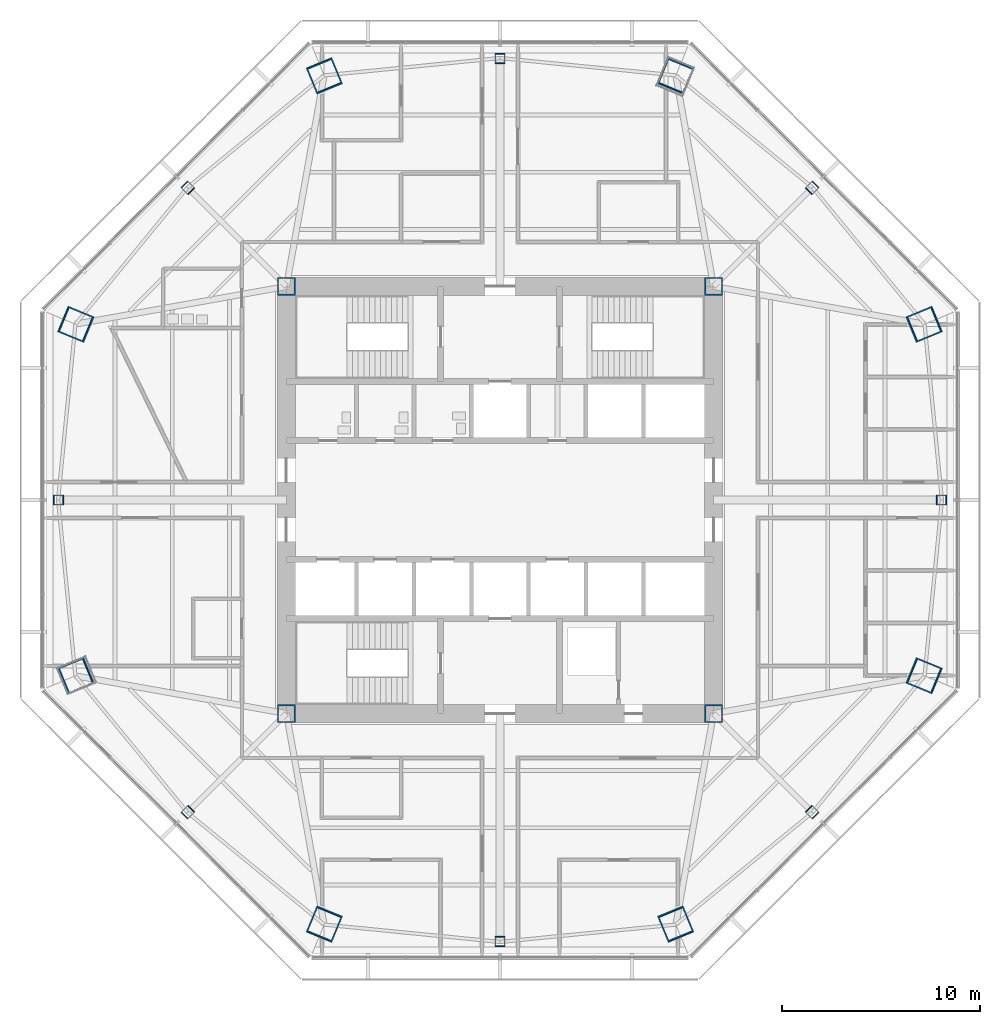
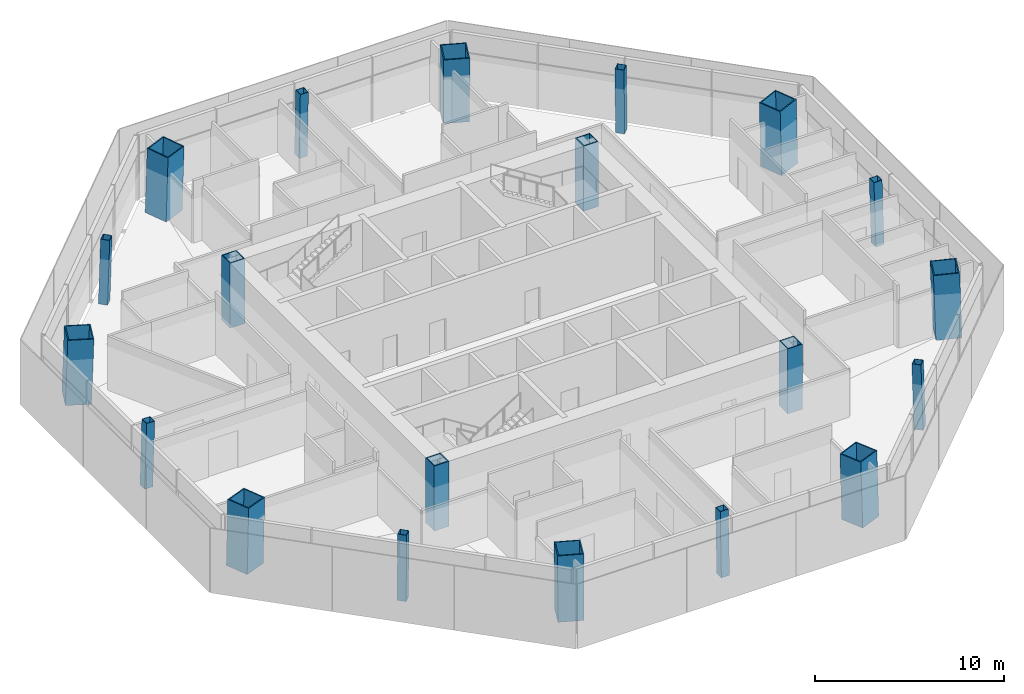
# One storey, part 1 of 15: 20 columns.
"""IFC4 building model written with IfcOpenShell, lengths in metres."""

from ifc_helpers import new_model, si_unit, direction, frame, origin, origin_2d, place, context, subcontext, project, spatial, hollow_rectangle, extrude, material, material_profile, profile_set, type_object, element, save


model = new_model("IFC4")

# Units and contexts
model_context = context("Model", 3, precision=1e-05, world=origin(), true_north=direction((0.0, 1.0)))
body_context = subcontext(model_context, "Body", "Model", "MODEL_VIEW")
ifc_project = project(units=[si_unit("LENGTHUNIT", "METRE"), si_unit("AREAUNIT", "SQUARE_METRE"), si_unit("VOLUMEUNIT", "CUBIC_METRE"), si_unit("PLANEANGLEUNIT", "RADIAN"), si_unit("MASSUNIT", "GRAM", prefix="KILO")], contexts=[model_context])

# Site, building, storey
site_placement = place(None, origin())
site = spatial("IfcSite", under=ifc_project, at=site_placement, CompositionType="ELEMENT")
building_placement = place(site_placement, origin())
building = spatial("IfcBuilding", under=site, at=building_placement, Name="Mashrafa Tower", CompositionType="ELEMENT")
storey_placement = place(building_placement, frame((0.0, 0.0, 172.199951171875)))
storey = spatial("IfcBuildingStorey", under=building, at=storey_placement, Name="L39", CompositionType="ELEMENT", Elevation=172.199951171875)

# Columns
ifc_material_1 = material(Name="Steel ASTM A572 Gr 50", Category="steel")
ifc_material_profile_1 = material_profile(ifc_material_1, hollow_rectangle(XDim=0.89990234375, YDim=0.89990234375, WallThickness=0.06005859375, at=origin_2d()), Name="BOX900X900X60")
ifc_profile_set_1 = profile_set([ifc_material_profile_1], Name="Steel ASTM A572 Gr 50")
column_type_1 = type_object("IfcColumnType", Name="Core corner column BOX900X900X60", PredefinedType="COLUMN", material=ifc_profile_set_1)
for number, where, z_axis, x_axis, name in (
    (1, (10.800048828125, 10.800048828125, 0.0), (0.0, 0.0, 1.0), (1.0, 0.0, 0.0), "Core corner column CC-NE L39"),
    (2, (-10.800048828125, 10.800048828125, 0.0), (0.0, 0.0, 1.0), (1.0, 0.0, 0.0), "Core corner column CC-NW L39"),
    (3, (-10.800048828125, -10.800048828125, 0.0), (0.0, 0.0, 1.0), (1.0, 0.0, 0.0), "Core corner column CC-SW L39"),
    (4, (10.800048828125, -10.800048828125, 0.0), (0.0, 0.0, 1.0), (1.0, 0.0, 0.0), "Core corner column CC-SE L39"),
):
    element("IfcColumn", number, at=place(storey_placement, frame(where, z_axis=z_axis, x_axis=x_axis)), inside=storey, type_object=column_type_1, Name=name, PredefinedType="COLUMN", context=body_context, shape_type="SweptSolid", body=[
        extrude(hollow_rectangle(XDim=0.89990234375, YDim=0.89990234375, WallThickness=0.06005859375, at=origin_2d()), origin(), (0.0, 0.0, 1.0), 4.199951171875),
    ])
ifc_material_2 = material(Name="Steel ASTM A572 Gr 50", Category="steel")
ifc_material_profile_2 = material_profile(ifc_material_2, hollow_rectangle(XDim=1.39990234375, YDim=1.39990234375, WallThickness=0.06494140625, at=origin_2d()), Name="BOX1400X1400X65")
ifc_profile_set_2 = profile_set([ifc_material_profile_2], Name="Steel ASTM A572 Gr 50")
column_type_2 = type_object("IfcColumnType", Name="Mega column CFST BOX1400X1400X65", PredefinedType="COLUMN", material=ifc_profile_set_2)
for number, where, z_axis, x_axis, name in (
    (5, (21.46533203125, 8.89111328125, 0.0), (-0.028295749455, -0.011678533143, 0.999531371407), (0.38151339852, -0.924363308851, 0.0), "Mega column MC1 L39"),
    (6, (8.89111328125, 21.46533203125, 0.0), (-0.011678533143, -0.028295749455, 0.999531371407), (0.924363308851, -0.38151339852, 0.0), "Mega column MC2 L39"),
    (7, (-8.89111328125, 21.46533203125, 0.0), (0.011678533143, -0.028295749455, 0.999531371407), (0.924363308851, 0.38151339852, 0.0), "Mega column MC3 L39"),
    (8, (-21.46533203125, 8.89111328125, 0.0), (0.028295749455, -0.011678533143, 0.999531371407), (0.38151339852, 0.924363308851, 0.0), "Mega column MC4 L39"),
    (9, (-21.46533203125, -8.89111328125, 0.0), (0.028295749455, 0.011678533143, 0.999531371407), (-0.38151339852, 0.924363308851, 0.0), "Mega column MC5 L39"),
    (10, (-8.89111328125, -21.46533203125, 0.0), (0.011678533143, 0.028295749455, 0.999531371407), (-0.924363308851, 0.38151339852, 0.0), "Mega column MC6 L39"),
    (11, (8.89111328125, -21.46533203125, 0.0), (-0.011678533143, 0.028295749455, 0.999531371407), (-0.924363308851, -0.38151339852, 0.0), "Mega column MC7 L39"),
    (12, (21.46533203125, -8.89111328125, 0.0), (-0.028295749455, 0.011678533143, 0.999531371407), (-0.38151339852, -0.924363308851, 0.0), "Mega column MC8 L39"),
):
    element("IfcColumn", number, at=place(storey_placement, frame(where, z_axis=z_axis, x_axis=x_axis)), inside=storey, type_object=column_type_2, Name=name, PredefinedType="COLUMN", context=body_context, shape_type="SweptSolid", body=[
        extrude(hollow_rectangle(XDim=1.39990234375, YDim=1.39990234375, WallThickness=0.06494140625, at=origin_2d()), origin(), (0.0, 0.0, 1.0), 4.201904296875),
    ])
ifc_material_3 = material(Name="Steel ASTM A572 Gr 50", Category="steel")
ifc_material_profile_3 = material_profile(ifc_material_3, hollow_rectangle(XDim=0.5, YDim=0.5, WallThickness=0.02490234375, at=origin_2d()), Name="BOX500X500X25")
ifc_profile_set_3 = profile_set([ifc_material_profile_3], Name="Steel ASTM A572 Gr 50")
column_type_3 = type_object("IfcColumnType", Name="Secondary column BOX500X500X25", PredefinedType="COLUMN", material=ifc_profile_set_3)
for number, where, z_axis, x_axis, name in (
    (13, (22.343505859375, 0.0, 0.0), (-0.028297679255, 0.0, 0.99959954049), (0.0, -1.0, 0.0), "Secondary column SC1 L39"),
    (14, (15.799072265625, 15.799072265625, 0.0), (-0.019988521213, -0.019988521213, 0.999600379171), (0.707106781187, -0.707106781187, 0.0), "Secondary column SC2 L39"),
    (15, (0.0, 22.343505859375, 0.0), (0.0, -0.028297679255, 0.99959954049), (1.0, 0.0, 0.0), "Secondary column SC3 L39"),
    (16, (-15.799072265625, 15.799072265625, 0.0), (0.019988521213, -0.019988521213, 0.999600379171), (0.707106781187, 0.707106781187, 0.0), "Secondary column SC4 L39"),
    (17, (-22.343505859375, 0.0, 0.0), (0.028297679255, 0.0, 0.99959954049), (0.0, 1.0, 0.0), "Secondary column SC5 L39"),
    (18, (-15.799072265625, -15.799072265625, 0.0), (0.019988521213, 0.019988521213, 0.999600379171), (-0.707106781187, 0.707106781187, 0.0), "Secondary column SC6 L39"),
    (19, (0.0, -22.343505859375, 0.0), (0.0, 0.028297679255, 0.99959954049), (-1.0, 0.0, 0.0), "Secondary column SC7 L39"),
    (20, (15.799072265625, -15.799072265625, 0.0), (-0.019988521213, 0.019988521213, 0.999600379171), (-0.707106781187, -0.707106781187, 0.0), "Secondary column SC8 L39"),
):
    element("IfcColumn", number, at=place(storey_placement, frame(where, z_axis=z_axis, x_axis=x_axis)), inside=storey, type_object=column_type_3, Name=name, PredefinedType="COLUMN", context=body_context, shape_type="SweptSolid", body=[
        extrude(hollow_rectangle(XDim=0.5, YDim=0.5, WallThickness=0.02490234375, at=origin_2d()), origin(), (0.0, 0.0, 1.0), 4.20166015625),
    ])

save(model, "model.ifc")
